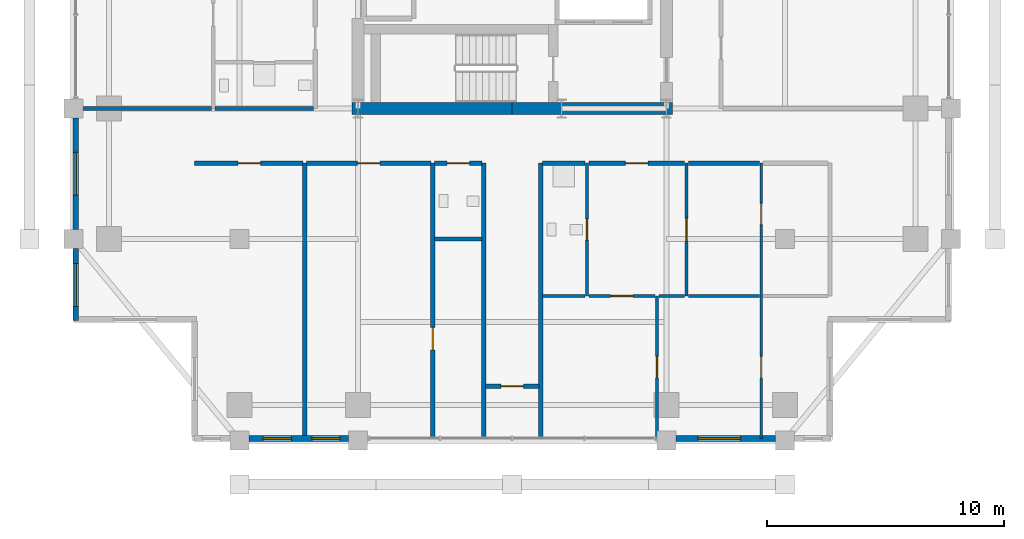
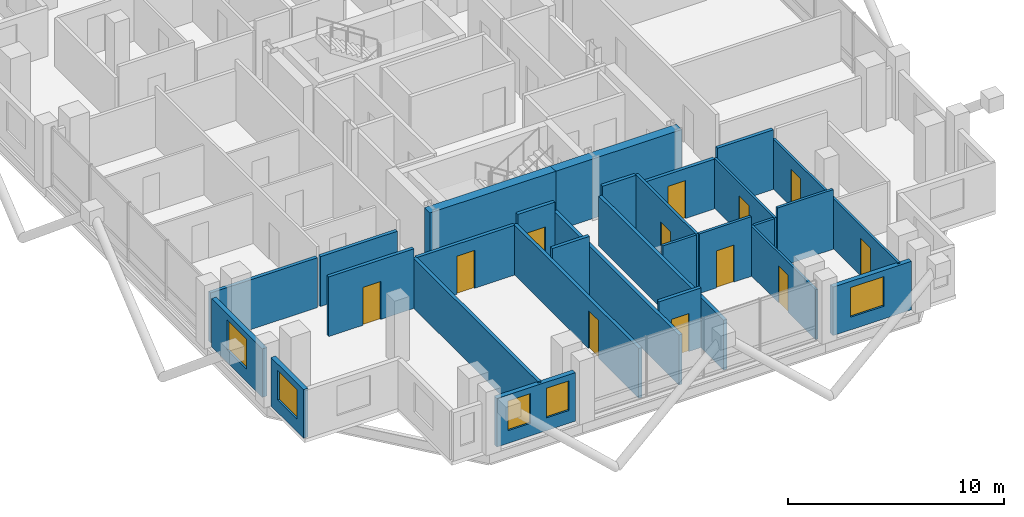
# One storey, part 18 of 24: 28 walls, 12 doors, 5 windows, 17 openings.
"""IFC4 building model written with IfcOpenShell, lengths in metres."""

from ifc_helpers import new_model, si_unit, direction, frame, frame_2d, origin, place, context, subcontext, project, spatial, rectangle, extrude, material, layer, layer_set, type_object, element, fill, save


model = new_model("IFC4")

# Units and contexts
model_context = context("Model", 3, precision=1e-05, world=origin(), true_north=direction((0.0, 1.0)))
body_context = subcontext(model_context, "Body", "Model", "MODEL_VIEW")
ifc_project = project(units=[si_unit("LENGTHUNIT", "METRE"), si_unit("AREAUNIT", "SQUARE_METRE"), si_unit("VOLUMEUNIT", "CUBIC_METRE"), si_unit("PLANEANGLEUNIT", "RADIAN"), si_unit("MASSUNIT", "GRAM", prefix="KILO")], contexts=[model_context])

# Site, building, storey
site_placement = place(None, origin())
site = spatial("IfcSite", under=ifc_project, at=site_placement, CompositionType="ELEMENT")
building_placement = place(site_placement, origin())
building = spatial("IfcBuilding", under=site, at=building_placement, Name="Barlavira Tower and Art Museum", CompositionType="ELEMENT")
storey_placement = place(building_placement, frame((0.0, 0.0, 183.60009765625)))
storey = spatial("IfcBuildingStorey", under=building, at=storey_placement, Name="L47", CompositionType="ELEMENT", Elevation=183.60009765625)

# Wall, opening, door
ifc_material_1 = material(Name="Gypsum acoustic stud partition", Category="gypsum")
ifc_layer_1 = layer(ifc_material_1, 0.1201171875, Name="Gypsum acoustic stud partition")
ifc_layer_set_1 = layer_set([ifc_layer_1], Name="Gypsum acoustic stud partition")
wall_type_1 = type_object("IfcWallType", Name="Apartment Internal Acoustic Partition 120", PredefinedType="PARTITIONING", material=ifc_layer_set_1)
wall_1_placement = place(storey_placement, frame((6.10009765625, -21.39990234375, 0.0), z_axis=(0.0, 0.0, 1.0), x_axis=(0.0, 1.0, 0.0)))
wall_1 = element("IfcWall", 1, at=wall_1_placement, inside=storey, type_object=wall_type_1, Name="L47 Partition Wall 18", PredefinedType="PARTITIONING", context=body_context, shape_type="SweptSolid", body=[
    extrude(rectangle(XDim=6.0, YDim=0.1201171875, at=frame_2d((3.0, 0.0))), origin(), (0.0, 0.0, 1.0), 2.825927734375),
])
opening_1_placement = place(wall_1_placement, frame((2.550048828125, 0.0, 0.0)))
opening_1 = element("IfcOpeningElement", 2, at=opening_1_placement, cuts=wall_1, Name="Opening D-01", PredefinedType="OPENING", context=body_context, shape_type="SweptSolid", body=[
    extrude(rectangle(XDim=0.89990234375, YDim=2.10009765625, at=frame_2d((0.449951171875, 1.050048828125))), frame((0.0, 0.070068359375, 0.0), z_axis=(0.0, -1.0, 0.0), x_axis=(1.0, 0.0, 0.0)), (0.0, 0.0, 1.0), 0.14013671875),
])
ifc_material_2 = material(Name="Engineered coastal hardwood", Category="wood")
door_type_1 = type_object("IfcDoorType", Name="Internal Bedroom Timber Flush Door 900x2100", OperationType="NOTDEFINED", PredefinedType="DOOR", material=ifc_material_2)
door_1_placement = place(opening_1_placement, origin())
door_1 = element("IfcDoor", 3, at=door_1_placement, inside=storey, type_object=door_type_1, Name="Apartment SE1 Bedroom 1 Door", OperationType="SINGLE_SWING_RIGHT", OverallHeight=2.10009765625, OverallWidth=0.89990234375, PredefinedType="DOOR", context=body_context, shape_type="SweptSolid", body=[
    extrude(rectangle(XDim=0.89990234375, YDim=2.10009765625, at=frame_2d((0.449951171875, 1.050048828125))), frame((0.0, 0.02490234375, 0.0), z_axis=(0.0, -1.0, 0.0), x_axis=(1.0, 0.0, 0.0)), (0.0, 0.0, 1.0), 0.050048828125),
])
fill(opening_1, door_1)

wall_2_placement = place(storey_placement, frame((7.35009765625, -15.39990234375, 0.0), z_axis=(0.0, 0.0, 1.0), x_axis=(0.0, 1.0, 0.0)))
wall_2 = element("IfcWall", 4, at=wall_2_placement, inside=storey, type_object=wall_type_1, Name="L47 Partition Wall 20", PredefinedType="PARTITIONING", context=body_context, shape_type="SweptSolid", body=[
    extrude(rectangle(XDim=5.599853515625, YDim=0.1201171875, at=frame_2d((2.7998046875, 0.0))), origin(), (0.0, 0.0, 1.0), 2.825927734375),
])
opening_2_placement = place(wall_2_placement, frame((2.324951171875, 0.0, 0.0)))
opening_2 = element("IfcOpeningElement", 5, at=opening_2_placement, cuts=wall_2, Name="Opening D-02", PredefinedType="OPENING", context=body_context, shape_type="SweptSolid", body=[
    extrude(rectangle(XDim=0.949951171875, YDim=2.10009765625, at=frame_2d((0.47509765625, 1.050048828125))), frame((0.0, 0.070068359375, 0.0), z_axis=(0.0, -1.0, 0.0), x_axis=(1.0, 0.0, 0.0)), (0.0, 0.0, 1.0), 0.14013671875),
])
door_type_2 = type_object("IfcDoorType", Name="Living and Salon Glazed-Leaf Door 950x2100", OperationType="NOTDEFINED", PredefinedType="DOOR", material=ifc_material_2)
door_2_placement = place(opening_2_placement, origin())
door_2 = element("IfcDoor", 6, at=door_2_placement, inside=storey, type_object=door_type_2, Name="Apartment SE1 Kitchen Door", OperationType="SINGLE_SWING_LEFT", OverallHeight=2.10009765625, OverallWidth=0.949951171875, PredefinedType="DOOR", context=body_context, shape_type="SweptSolid", body=[
    extrude(rectangle(XDim=0.949951171875, YDim=2.10009765625, at=frame_2d((0.47509765625, 1.050048828125))), frame((0.0, 0.02490234375, 0.0), z_axis=(0.0, -1.0, 0.0), x_axis=(1.0, 0.0, 0.0)), (0.0, 0.0, 1.0), 0.050048828125),
])
fill(opening_2, door_2)

# Wall, openings, doors
wall_3_placement = place(storey_placement, frame((10.5, -21.39990234375, 0.0), z_axis=(0.0, 0.0, 1.0), x_axis=(0.0, 1.0, 0.0)))
wall_3 = element("IfcWall", 7, at=wall_3_placement, inside=storey, type_object=wall_type_1, Name="L47 Partition Wall 23", PredefinedType="PARTITIONING", context=body_context, shape_type="SweptSolid", body=[
    extrude(rectangle(XDim=11.599853515625, YDim=0.1201171875, at=frame_2d((5.7998046875, 0.0))), origin(), (0.0, 0.0, 1.0), 2.825927734375),
])
opening_3_placement = place(wall_3_placement, frame((9.005859375, 0.0, 0.0)))
opening_3 = element("IfcOpeningElement", 8, at=opening_3_placement, cuts=wall_3, Name="Opening D-01", PredefinedType="OPENING", context=body_context, shape_type="SweptSolid", body=[
    extrude(rectangle(XDim=0.89990234375, YDim=2.10009765625, at=frame_2d((0.449951171875, 1.050048828125))), frame((0.0, 0.070068359375, 0.0), z_axis=(0.0, -1.0, 0.0), x_axis=(1.0, 0.0, 0.0)), (0.0, 0.0, 1.0), 0.14013671875),
])
opening_4_placement = place(wall_3_placement, frame((2.550048828125, 0.0, 0.0)))
opening_4 = element("IfcOpeningElement", 9, at=opening_4_placement, cuts=wall_3, Name="Opening D-01", PredefinedType="OPENING", context=body_context, shape_type="SweptSolid", body=[
    extrude(rectangle(XDim=0.89990234375, YDim=2.10009765625, at=frame_2d((0.449951171875, 1.050048828125))), frame((0.0, 0.070068359375, 0.0), z_axis=(0.0, -1.0, 0.0), x_axis=(1.0, 0.0, 0.0)), (0.0, 0.0, 1.0), 0.14013671875),
])
door_3_placement = place(opening_3_placement, origin())
door_3 = element("IfcDoor", 10, at=door_3_placement, inside=storey, type_object=door_type_1, Name="Apartment SE1 Walk-In Dressing Room Door", OperationType="SINGLE_SWING_RIGHT", OverallHeight=2.10009765625, OverallWidth=0.89990234375, PredefinedType="DOOR", context=body_context, shape_type="SweptSolid", body=[
    extrude(rectangle(XDim=0.89990234375, YDim=2.10009765625, at=frame_2d((0.449951171875, 1.050048828125))), frame((0.0, 0.02490234375, 0.0), z_axis=(0.0, -1.0, 0.0), x_axis=(1.0, 0.0, 0.0)), (0.0, 0.0, 1.0), 0.050048828125),
])
fill(opening_3, door_3)
door_4_placement = place(opening_4_placement, origin())
door_4 = element("IfcDoor", 11, at=door_4_placement, inside=storey, type_object=door_type_1, Name="Apartment SE1 Bedroom 2 Door", OperationType="SINGLE_SWING_LEFT", OverallHeight=2.10009765625, OverallWidth=0.89990234375, PredefinedType="DOOR", context=body_context, shape_type="SweptSolid", body=[
    extrude(rectangle(XDim=0.89990234375, YDim=2.10009765625, at=frame_2d((0.449951171875, 1.050048828125))), frame((0.0, 0.02490234375, 0.0), z_axis=(0.0, -1.0, 0.0), x_axis=(1.0, 0.0, 0.0)), (0.0, 0.0, 1.0), 0.050048828125),
])
fill(opening_4, door_4)

# Walls
ifc_material_3 = material(Name="Concrete C60", Category="concrete")
ifc_layer_2 = layer(ifc_material_3, 0.5, Name="Concrete C60")
ifc_layer_set_2 = layer_set([ifc_layer_2], Name="Concrete C60")
wall_type_2 = type_object("IfcWallType", Name="Core Structural Shear Wall 500 Concrete C60", PredefinedType="SHEAR", material=ifc_layer_set_2)
for number, where, z_axis, x_axis, name in (
    (12, (-6.75, -7.5, 0.0), (0.0, 0.0, 1.0), (1.0, 0.0, 0.0), "L47 Core Shear Wall CS-SW"),
    (13, (0.0, -7.5, 0.0), (0.0, 0.0, 1.0), (1.0, 0.0, 0.0), "L47 Core Shear Wall CS-SE"),
):
    element("IfcWall", number, at=place(storey_placement, frame(where, z_axis=z_axis, x_axis=x_axis)), inside=storey, type_object=wall_type_2, Name=name, PredefinedType="SHEAR", context=body_context, shape_type="SweptSolid", body=[
        extrude(rectangle(XDim=6.75, YDim=0.5, at=frame_2d((3.375, 0.0))), origin(), (0.0, 0.0, 1.0), 3.3798828125),
    ])
ifc_layer_3 = layer(ifc_material_1, 0.179931640625, Name="Gypsum acoustic stud partition")
ifc_layer_set_3 = layer_set([ifc_layer_3], Name="Gypsum acoustic stud partition")
wall_type_3 = type_object("IfcWallType", Name="Inter-Tenancy Party Partition Wall 180", PredefinedType="PARTITIONING", material=ifc_layer_set_3)
wall_4_placement = place(storey_placement, frame((-8.75, -21.39990234375, 0.0), z_axis=(0.0, 0.0, 1.0), x_axis=(0.0, 1.0, 0.0)))
element("IfcWall", 14, at=wall_4_placement, inside=storey, type_object=wall_type_3, Name="L47 Partition Wall 4", PredefinedType="PARTITIONING", context=body_context, shape_type="SweptSolid", body=[
    extrude(rectangle(XDim=11.599853515625, YDim=0.179931640625, at=frame_2d((5.7998046875, 0.0))), origin(), (0.0, 0.0, 1.0), 2.825927734375),
])

# Wall, opening, door
wall_5_placement = place(storey_placement, frame((-3.35009765625, -21.39990234375, 0.0), z_axis=(0.0, 0.0, 1.0), x_axis=(0.0, 1.0, 0.0)))
wall_5 = element("IfcWall", 15, at=wall_5_placement, inside=storey, type_object=wall_type_3, Name="L47 Partition Wall 10", PredefinedType="PARTITIONING", context=body_context, shape_type="SweptSolid", body=[
    extrude(rectangle(XDim=11.599853515625, YDim=0.179931640625, at=frame_2d((5.7998046875, 0.0))), origin(), (0.0, 0.0, 1.0), 2.825927734375),
])
opening_5_placement = place(wall_5_placement, frame((3.72509765625, 0.0, 0.0)))
opening_5 = element("IfcOpeningElement", 16, at=opening_5_placement, cuts=wall_5, Name="Opening FD-60", PredefinedType="OPENING", context=body_context, shape_type="SweptSolid", body=[
    extrude(rectangle(XDim=0.949951171875, YDim=2.14990234375, at=frame_2d((0.47509765625, 1.074951171875))), frame((0.0, 0.10009765625, 0.0), z_axis=(0.0, -1.0, 0.0), x_axis=(1.0, 0.0, 0.0)), (0.0, 0.0, 1.0), 0.199951171875),
])
ifc_material_4 = material(Name="Brushed stainless steel", Category="steel")
door_type_3 = type_object("IfcDoorType", Name="Apartment Entrance and Riser Fire Door 950x2150 FD60S", OperationType="NOTDEFINED", PredefinedType="DOOR", material=ifc_material_4)
door_5_placement = place(opening_5_placement, origin())
door_5 = element("IfcDoor", 17, at=door_5_placement, inside=storey, type_object=door_type_3, Name="Thermal Relaxation Lounge Door", OperationType="SINGLE_SWING_RIGHT", OverallHeight=2.14990234375, OverallWidth=0.949951171875, PredefinedType="DOOR", context=body_context, shape_type="SweptSolid", body=[
    extrude(rectangle(XDim=0.949951171875, YDim=2.14990234375, at=frame_2d((0.47509765625, 1.074951171875))), frame((0.0, 0.02490234375, 0.0), z_axis=(0.0, -1.0, 0.0), x_axis=(1.0, 0.0, 0.0)), (0.0, 0.0, 1.0), 0.050048828125),
])
fill(opening_5, door_5)

# Walls
for number, where, z_axis, x_axis, name in (
    (18, (-1.199951171875, -21.39990234375, 0.0), (0.0, 0.0, 1.0), (0.0, 1.0, 0.0), "L47 Partition Wall 11"),
    (19, (1.199951171875, -21.39990234375, 0.0), (0.0, 0.0, 1.0), (0.0, 1.0, 0.0), "L47 Partition Wall 13"),
):
    element("IfcWall", number, at=place(storey_placement, frame(where, z_axis=z_axis, x_axis=x_axis)), inside=storey, type_object=wall_type_3, Name=name, PredefinedType="PARTITIONING", context=body_context, shape_type="SweptSolid", body=[
        extrude(rectangle(XDim=11.599853515625, YDim=0.179931640625, at=frame_2d((5.7998046875, 0.0))), origin(), (0.0, 0.0, 1.0), 2.825927734375),
    ])

# Wall, opening, door
wall_6_placement = place(storey_placement, frame((-1.1201171875, -19.199951171875, 0.0), z_axis=(0.0, 0.0, 1.0), x_axis=(1.0, 0.0, 0.0)))
wall_6 = element("IfcWall", 20, at=wall_6_placement, inside=storey, type_object=wall_type_3, Name="L47 Partition Wall 27", PredefinedType="PARTITIONING", context=body_context, shape_type="SweptSolid", body=[
    extrude(rectangle(XDim=2.240234375, YDim=0.179931640625, at=frame_2d((1.1201171875, 0.0))), origin(), (0.0, 0.0, 1.0), 3.3798828125),
])
opening_6_placement = place(wall_6_placement, frame((0.64501953125, 0.0, 0.0)))
opening_6 = element("IfcOpeningElement", 21, at=opening_6_placement, cuts=wall_6, Name="Opening FD-60", PredefinedType="OPENING", context=body_context, shape_type="SweptSolid", body=[
    extrude(rectangle(XDim=0.949951171875, YDim=2.14990234375, at=frame_2d((0.47509765625, 1.074951171875))), frame((0.0, 0.10009765625, 0.0), z_axis=(0.0, -1.0, 0.0), x_axis=(1.0, 0.0, 0.0)), (0.0, 0.0, 1.0), 0.199951171875),
])
door_6_placement = place(opening_6_placement, origin())
door_6 = element("IfcDoor", 22, at=door_6_placement, inside=storey, type_object=door_type_3, Name="L47 South Horizon Reading Alcove Door", OperationType="SINGLE_SWING_RIGHT", OverallHeight=2.14990234375, OverallWidth=0.949951171875, PredefinedType="DOOR", context=body_context, shape_type="SweptSolid", body=[
    extrude(rectangle(XDim=0.949951171875, YDim=2.14990234375, at=frame_2d((0.47509765625, 1.074951171875))), frame((0.0, 0.02490234375, 0.0), z_axis=(0.0, -1.0, 0.0), x_axis=(1.0, 0.0, 0.0)), (0.0, 0.0, 1.0), 0.050048828125),
])
fill(opening_6, door_6)

# Wall
wall_7_placement = place(storey_placement, frame((-3.27001953125, -13.0, 0.0), z_axis=(0.0, 0.0, 1.0), x_axis=(1.0, 0.0, 0.0)))
element("IfcWall", 23, at=wall_7_placement, inside=storey, type_object=wall_type_3, Name="L47 Partition Wall 33", PredefinedType="PARTITIONING", context=body_context, shape_type="SweptSolid", body=[
    extrude(rectangle(XDim=1.989990234375, YDim=0.179931640625, at=frame_2d((0.9951171875, 0.0))), origin(), (0.0, 0.0, 1.0), 3.3798828125),
])

# Wall, opening, door
wall_8_placement = place(storey_placement, frame((-13.39990234375, -9.800048828125, 0.0), z_axis=(0.0, 0.0, 1.0), x_axis=(1.0, 0.0, 0.0)))
wall_8 = element("IfcWall", 24, at=wall_8_placement, inside=storey, type_object=wall_type_3, Name="L47 Partition Wall 34", PredefinedType="PARTITIONING", context=body_context, shape_type="SweptSolid", body=[
    extrude(rectangle(XDim=4.56982421875, YDim=0.179931640625, at=frame_2d((2.284912109375, 0.0))), origin(), (0.0, 0.0, 1.0), 3.3798828125),
])
opening_7_placement = place(wall_8_placement, frame((1.844970703125, 0.0, 0.0)))
opening_7 = element("IfcOpeningElement", 25, at=opening_7_placement, cuts=wall_8, Name="Opening FD-60", PredefinedType="OPENING", context=body_context, shape_type="SweptSolid", body=[
    extrude(rectangle(XDim=0.949951171875, YDim=2.14990234375, at=frame_2d((0.47509765625, 1.074951171875))), frame((0.0, 0.10009765625, 0.0), z_axis=(0.0, -1.0, 0.0), x_axis=(1.0, 0.0, 0.0)), (0.0, 0.0, 1.0), 0.199951171875),
])
door_7_placement = place(opening_7_placement, origin())
door_7 = element("IfcDoor", 26, at=door_7_placement, inside=storey, type_object=door_type_3, Name="Resident Ocean-View Fitness Studio Door", OperationType="SINGLE_SWING_LEFT", OverallHeight=2.14990234375, OverallWidth=0.949951171875, PredefinedType="DOOR", context=body_context, shape_type="SweptSolid", body=[
    extrude(rectangle(XDim=0.949951171875, YDim=2.14990234375, at=frame_2d((0.47509765625, 1.074951171875))), frame((0.0, 0.02490234375, 0.0), z_axis=(0.0, -1.0, 0.0), x_axis=(1.0, 0.0, 0.0)), (0.0, 0.0, 1.0), 0.050048828125),
])
fill(opening_7, door_7)

wall_9_placement = place(storey_placement, frame((-8.669921875, -9.800048828125, 0.0), z_axis=(0.0, 0.0, 1.0), x_axis=(1.0, 0.0, 0.0)))
wall_9 = element("IfcWall", 27, at=wall_9_placement, inside=storey, type_object=wall_type_3, Name="L47 Partition Wall 35", PredefinedType="PARTITIONING", context=body_context, shape_type="SweptSolid", body=[
    extrude(rectangle(XDim=5.239990234375, YDim=0.179931640625, at=frame_2d((2.6201171875, 0.0))), origin(), (0.0, 0.0, 1.0), 2.825927734375),
])
opening_8_placement = place(wall_9_placement, frame((2.14501953125, 0.0, 0.0)))
opening_8 = element("IfcOpeningElement", 28, at=opening_8_placement, cuts=wall_9, Name="Opening FD-60", PredefinedType="OPENING", context=body_context, shape_type="SweptSolid", body=[
    extrude(rectangle(XDim=0.949951171875, YDim=2.14990234375, at=frame_2d((0.47509765625, 1.074951171875))), frame((0.0, 0.10009765625, 0.0), z_axis=(0.0, -1.0, 0.0), x_axis=(1.0, 0.0, 0.0)), (0.0, 0.0, 1.0), 0.199951171875),
])
door_8_placement = place(opening_8_placement, origin())
door_8 = element("IfcDoor", 29, at=door_8_placement, inside=storey, type_object=door_type_3, Name="Coastal Hydrotherapy and Yoga Lounge Door", OperationType="SINGLE_SWING_RIGHT", OverallHeight=2.14990234375, OverallWidth=0.949951171875, PredefinedType="DOOR", context=body_context, shape_type="SweptSolid", body=[
    extrude(rectangle(XDim=0.949951171875, YDim=2.14990234375, at=frame_2d((0.47509765625, 1.074951171875))), frame((0.0, 0.02490234375, 0.0), z_axis=(0.0, -1.0, 0.0), x_axis=(1.0, 0.0, 0.0)), (0.0, 0.0, 1.0), 0.050048828125),
])
fill(opening_8, door_8)

wall_10_placement = place(storey_placement, frame((-3.27001953125, -9.800048828125, 0.0), z_axis=(0.0, 0.0, 1.0), x_axis=(1.0, 0.0, 0.0)))
wall_10 = element("IfcWall", 30, at=wall_10_placement, inside=storey, type_object=wall_type_3, Name="L47 Partition Wall 36", PredefinedType="PARTITIONING", context=body_context, shape_type="SweptSolid", body=[
    extrude(rectangle(XDim=1.989990234375, YDim=0.179931640625, at=frame_2d((0.9951171875, 0.0))), origin(), (0.0, 0.0, 1.0), 3.3798828125),
])
opening_9_placement = place(wall_10_placement, frame((0.52490234375, 0.0, 0.0)))
opening_9 = element("IfcOpeningElement", 31, at=opening_9_placement, cuts=wall_10, Name="Opening FD-60", PredefinedType="OPENING", context=body_context, shape_type="SweptSolid", body=[
    extrude(rectangle(XDim=0.949951171875, YDim=2.14990234375, at=frame_2d((0.47509765625, 1.074951171875))), frame((0.0, 0.10009765625, 0.0), z_axis=(0.0, -1.0, 0.0), x_axis=(1.0, 0.0, 0.0)), (0.0, 0.0, 1.0), 0.199951171875),
])
door_9_placement = place(opening_9_placement, origin())
door_9 = element("IfcDoor", 32, at=door_9_placement, inside=storey, type_object=door_type_3, Name="Wellness Changing and Accessible Shower WC Door", OperationType="SINGLE_SWING_LEFT", OverallHeight=2.14990234375, OverallWidth=0.949951171875, PredefinedType="DOOR", context=body_context, shape_type="SweptSolid", body=[
    extrude(rectangle(XDim=0.949951171875, YDim=2.14990234375, at=frame_2d((0.47509765625, 1.074951171875))), frame((0.0, 0.02490234375, 0.0), z_axis=(0.0, -1.0, 0.0), x_axis=(1.0, 0.0, 0.0)), (0.0, 0.0, 1.0), 0.050048828125),
])
fill(opening_9, door_9)

# Wall
wall_11_placement = place(storey_placement, frame((1.280029296875, -9.800048828125, 0.0), z_axis=(0.0, 0.0, 1.0), x_axis=(1.0, 0.0, 0.0)))
element("IfcWall", 33, at=wall_11_placement, inside=storey, type_object=wall_type_3, Name="L47 Partition Wall 37", PredefinedType="PARTITIONING", context=body_context, shape_type="SweptSolid", body=[
    extrude(rectangle(XDim=1.7900390625, YDim=0.179931640625, at=frame_2d((0.89501953125, 0.0))), origin(), (0.0, 0.0, 1.0), 3.3798828125),
])

# Wall, opening, door
wall_12_placement = place(storey_placement, frame((3.22998046875, -9.800048828125, 0.0), z_axis=(0.0, 0.0, 1.0), x_axis=(1.0, 0.0, 0.0)))
wall_12 = element("IfcWall", 34, at=wall_12_placement, inside=storey, type_object=wall_type_3, Name="L47 Partition Wall 38", PredefinedType="PARTITIONING", context=body_context, shape_type="SweptSolid", body=[
    extrude(rectangle(XDim=4.0400390625, YDim=0.179931640625, at=frame_2d((2.02001953125, 0.0))), origin(), (0.0, 0.0, 1.0), 2.825927734375),
])
opening_10_placement = place(wall_12_placement, frame((1.544921875, 0.0, 0.0)))
opening_10 = element("IfcOpeningElement", 35, at=opening_10_placement, cuts=wall_12, Name="Opening FD-60", PredefinedType="OPENING", context=body_context, shape_type="SweptSolid", body=[
    extrude(rectangle(XDim=0.949951171875, YDim=2.14990234375, at=frame_2d((0.47509765625, 1.074951171875))), frame((0.0, 0.10009765625, 0.0), z_axis=(0.0, -1.0, 0.0), x_axis=(1.0, 0.0, 0.0)), (0.0, 0.0, 1.0), 0.199951171875),
])
door_10_placement = place(opening_10_placement, origin())
door_10 = element("IfcDoor", 36, at=door_10_placement, inside=storey, type_object=door_type_3, Name="Apartment Entrance Hall SE1 Door", OperationType="SINGLE_SWING_RIGHT", OverallHeight=2.14990234375, OverallWidth=0.949951171875, PredefinedType="DOOR", context=body_context, shape_type="SweptSolid", body=[
    extrude(rectangle(XDim=0.949951171875, YDim=2.14990234375, at=frame_2d((0.47509765625, 1.074951171875))), frame((0.0, 0.02490234375, 0.0), z_axis=(0.0, -1.0, 0.0), x_axis=(1.0, 0.0, 0.0)), (0.0, 0.0, 1.0), 0.050048828125),
])
fill(opening_10, door_10)

# Walls
wall_13_placement = place(storey_placement, frame((7.429931640625, -9.800048828125, 0.0), z_axis=(0.0, 0.0, 1.0), x_axis=(1.0, 0.0, 0.0)))
element("IfcWall", 37, at=wall_13_placement, inside=storey, type_object=wall_type_3, Name="L47 Partition Wall 39", PredefinedType="PARTITIONING", context=body_context, shape_type="SweptSolid", body=[
    extrude(rectangle(XDim=2.989990234375, YDim=0.179931640625, at=frame_2d((1.4951171875, 0.0))), origin(), (0.0, 0.0, 1.0), 3.3798828125),
])
wall_14_placement = place(storey_placement, frame((-18.39990234375, -7.5, 0.0), z_axis=(0.0, 0.0, 1.0), x_axis=(1.0, 0.0, 0.0)))
element("IfcWall", 38, at=wall_14_placement, inside=storey, type_object=wall_type_3, Name="L47 Partition Wall 41", PredefinedType="PARTITIONING", context=body_context, shape_type="SweptSolid", body=[
    extrude(rectangle(XDim=5.719970703125, YDim=0.179931640625, at=frame_2d((2.85986328125, 0.0))), origin(), (0.0, 0.0, 1.0), 2.825927734375),
])
wall_15_placement = place(storey_placement, frame((-12.52001953125, -7.5, 0.0), z_axis=(0.0, 0.0, 1.0), x_axis=(1.0, 0.0, 0.0)))
element("IfcWall", 39, at=wall_15_placement, inside=storey, type_object=wall_type_3, Name="L47 Partition Wall 42", PredefinedType="PARTITIONING", context=body_context, shape_type="SweptSolid", body=[
    extrude(rectangle(XDim=4.14013671875, YDim=0.179931640625, at=frame_2d((2.070068359375, 0.0))), origin(), (0.0, 0.0, 1.0), 2.825927734375),
])

# Wall, opening, door
ifc_layer_4 = layer(ifc_material_1, 0.139892578125, Name="Gypsum acoustic stud partition")
ifc_layer_set_4 = layer_set([ifc_layer_4], Name="Gypsum acoustic stud partition")
wall_type_4 = type_object("IfcWallType", Name="Moisture-Resistant Bathroom Partition 140", PredefinedType="PARTITIONING", material=ifc_layer_set_4)
wall_16_placement = place(storey_placement, frame((3.14990234375, -15.39990234375, 0.0), z_axis=(0.0, 0.0, 1.0), x_axis=(0.0, 1.0, 0.0)))
wall_16 = element("IfcWall", 40, at=wall_16_placement, inside=storey, type_object=wall_type_4, Name="L47 Partition Wall 15", PredefinedType="PARTITIONING", context=body_context, shape_type="SweptSolid", body=[
    extrude(rectangle(XDim=5.599853515625, YDim=0.139892578125, at=frame_2d((2.7998046875, 0.0))), origin(), (0.0, 0.0, 1.0), 3.3798828125),
])
opening_11_placement = place(wall_16_placement, frame((2.35009765625, 0.0, 0.0)))
opening_11 = element("IfcOpeningElement", 41, at=opening_11_placement, cuts=wall_16, Name="Opening D-WC", PredefinedType="OPENING", context=body_context, shape_type="SweptSolid", body=[
    extrude(rectangle(XDim=0.89990234375, YDim=2.10009765625, at=frame_2d((0.449951171875, 1.050048828125))), frame((0.0, 0.080078125, 0.0), z_axis=(0.0, -1.0, 0.0), x_axis=(1.0, 0.0, 0.0)), (0.0, 0.0, 1.0), 0.159912109375),
])
door_type_4 = type_object("IfcDoorType", Name="Accessible Bathroom Flush Door 900x2100", OperationType="NOTDEFINED", PredefinedType="DOOR", material=ifc_material_2)
door_11_placement = place(opening_11_placement, origin())
door_11 = element("IfcDoor", 42, at=door_11_placement, inside=storey, type_object=door_type_4, Name="Apartment SE1 Hall Bathroom Door", OperationType="SINGLE_SWING_LEFT", OverallHeight=2.10009765625, OverallWidth=0.89990234375, PredefinedType="DOOR", context=body_context, shape_type="SweptSolid", body=[
    extrude(rectangle(XDim=0.89990234375, YDim=2.10009765625, at=frame_2d((0.449951171875, 1.050048828125))), frame((0.0, 0.02490234375, 0.0), z_axis=(0.0, -1.0, 0.0), x_axis=(1.0, 0.0, 0.0)), (0.0, 0.0, 1.0), 0.050048828125),
])
fill(opening_11, door_11)

# Wall
wall_17_placement = place(storey_placement, frame((1.280029296875, -15.39990234375, 0.0), z_axis=(0.0, 0.0, 1.0), x_axis=(1.0, 0.0, 0.0)))
element("IfcWall", 43, at=wall_17_placement, inside=storey, type_object=wall_type_4, Name="L47 Partition Wall 28", PredefinedType="PARTITIONING", context=body_context, shape_type="SweptSolid", body=[
    extrude(rectangle(XDim=1.7900390625, YDim=0.139892578125, at=frame_2d((0.89501953125, 0.0))), origin(), (0.0, 0.0, 1.0), 3.3798828125),
])

# Wall, opening, door
wall_18_placement = place(storey_placement, frame((3.22998046875, -15.39990234375, 0.0), z_axis=(0.0, 0.0, 1.0), x_axis=(1.0, 0.0, 0.0)))
wall_18 = element("IfcWall", 44, at=wall_18_placement, inside=storey, type_object=wall_type_4, Name="L47 Partition Wall 29", PredefinedType="PARTITIONING", context=body_context, shape_type="SweptSolid", body=[
    extrude(rectangle(XDim=2.7900390625, YDim=0.139892578125, at=frame_2d((1.39501953125, 0.0))), origin(), (0.0, 0.0, 1.0), 3.3798828125),
])
opening_12_placement = place(wall_18_placement, frame((0.9150390625, 0.0, 0.0)))
opening_12 = element("IfcOpeningElement", 45, at=opening_12_placement, cuts=wall_18, Name="Opening D-02", PredefinedType="OPENING", context=body_context, shape_type="SweptSolid", body=[
    extrude(rectangle(XDim=0.949951171875, YDim=2.10009765625, at=frame_2d((0.47509765625, 1.050048828125))), frame((0.0, 0.080078125, 0.0), z_axis=(0.0, -1.0, 0.0), x_axis=(1.0, 0.0, 0.0)), (0.0, 0.0, 1.0), 0.159912109375),
])
door_12_placement = place(opening_12_placement, origin())
door_12 = element("IfcDoor", 46, at=door_12_placement, inside=storey, type_object=door_type_2, Name="Apartment SE1 Living Lounge Door", OperationType="SINGLE_SWING_LEFT", OverallHeight=2.10009765625, OverallWidth=0.949951171875, PredefinedType="DOOR", context=body_context, shape_type="SweptSolid", body=[
    extrude(rectangle(XDim=0.949951171875, YDim=2.10009765625, at=frame_2d((0.47509765625, 1.050048828125))), frame((0.0, 0.02490234375, 0.0), z_axis=(0.0, -1.0, 0.0), x_axis=(1.0, 0.0, 0.0)), (0.0, 0.0, 1.0), 0.050048828125),
])
fill(opening_12, door_12)

# Walls
wall_19_placement = place(storey_placement, frame((6.179931640625, -15.39990234375, 0.0), z_axis=(0.0, 0.0, 1.0), x_axis=(1.0, 0.0, 0.0)))
element("IfcWall", 47, at=wall_19_placement, inside=storey, type_object=wall_type_4, Name="L47 Partition Wall 30", PredefinedType="PARTITIONING", context=body_context, shape_type="SweptSolid", body=[
    extrude(rectangle(XDim=1.090087890625, YDim=0.139892578125, at=frame_2d((0.544921875, 0.0))), origin(), (0.0, 0.0, 1.0), 2.825927734375),
])
wall_20_placement = place(storey_placement, frame((7.429931640625, -15.39990234375, 0.0), z_axis=(0.0, 0.0, 1.0), x_axis=(1.0, 0.0, 0.0)))
element("IfcWall", 48, at=wall_20_placement, inside=storey, type_object=wall_type_4, Name="L47 Partition Wall 31", PredefinedType="PARTITIONING", context=body_context, shape_type="SweptSolid", body=[
    extrude(rectangle(XDim=2.989990234375, YDim=0.139892578125, at=frame_2d((1.4951171875, 0.0))), origin(), (0.0, 0.0, 1.0), 3.3798828125),
])

# Wall, openings, windows
ifc_material_5 = material(Name="Precast concrete C40", Category="concrete")
ifc_layer_5 = layer(ifc_material_5, 0.25, Name="Precast concrete C40")
ifc_layer_set_5 = layer_set([ifc_layer_5], Name="Precast concrete C40")
wall_type_5 = type_object("IfcWallType", Name="Notched Corner Spandrel Wall 250 Precast Concrete C40", PredefinedType="SOLIDWALL", material=ifc_layer_set_5)
wall_21_placement = place(storey_placement, frame((-11.10498046875, -21.39990234375, 0.0), z_axis=(0.0, 0.0, 1.0), x_axis=(1.0, 0.0, 0.0)))
wall_21 = element("IfcWall", 49, at=wall_21_placement, inside=storey, type_object=wall_type_5, Name="L47 Coastal Facade Pier Wall CW3-L47-S-2", PredefinedType="SOLIDWALL", context=body_context, shape_type="SweptSolid", body=[
    extrude(rectangle(XDim=4.2099609375, YDim=0.25, at=frame_2d((2.10498046875, 0.0))), origin(), (0.0, 0.0, 1.0), 2.747802734375),
])
opening_13_placement = place(wall_21_placement, frame((0.594970703125, 0.0, 0.719970703125)))
opening_13 = element("IfcOpeningElement", 50, at=opening_13_placement, cuts=wall_21, Name="Opening WN-05", PredefinedType="OPENING", context=body_context, shape_type="SweptSolid", body=[
    extrude(rectangle(XDim=1.199951171875, YDim=1.679931640625, at=frame_2d((0.60009765625, 0.83984375))), frame((0.0, 0.135009765625, 0.0), z_axis=(0.0, -1.0, 0.0), x_axis=(1.0, 0.0, 0.0)), (0.0, 0.0, 1.0), 0.27001953125),
])
opening_14_placement = place(wall_21_placement, frame((2.655029296875, 0.0, 0.719970703125)))
opening_14 = element("IfcOpeningElement", 51, at=opening_14_placement, cuts=wall_21, Name="Opening WN-05", PredefinedType="OPENING", context=body_context, shape_type="SweptSolid", body=[
    extrude(rectangle(XDim=1.199951171875, YDim=1.679931640625, at=frame_2d((0.60009765625, 0.83984375))), frame((0.0, 0.135009765625, 0.0), z_axis=(0.0, -1.0, 0.0), x_axis=(1.0, 0.0, 0.0)), (0.0, 0.0, 1.0), 0.27001953125),
])
ifc_material_6 = material(Name="Low-iron coastal laminated glass", Category="glass")
window_type_1 = type_object("IfcWindowType", Name="Recessed Flank Pier Punch Window 1200x1680", PartitioningType="SINGLE_PANEL", PredefinedType="WINDOW", material=ifc_material_6)
window_1_placement = place(opening_13_placement, origin())
window_1 = element("IfcWindow", 52, at=window_1_placement, inside=storey, type_object=window_type_1, Name="L47 Punched Facade Window EWP-CW3-L47-S-2-1", OverallHeight=1.679931640625, OverallWidth=1.199951171875, PartitioningType="SINGLE_PANEL", PredefinedType="WINDOW", context=body_context, shape_type="SweptSolid", body=[
    extrude(rectangle(XDim=1.199951171875, YDim=1.679931640625, at=frame_2d((0.60009765625, 0.83984375))), frame((0.0, 0.030029296875, 0.0), z_axis=(0.0, -1.0, 0.0), x_axis=(1.0, 0.0, 0.0)), (0.0, 0.0, 1.0), 0.06005859375),
])
fill(opening_13, window_1)
window_2_placement = place(opening_14_placement, origin())
window_2 = element("IfcWindow", 53, at=window_2_placement, inside=storey, type_object=window_type_1, Name="L47 Punched Facade Window EWP-CW3-L47-S-2-2", OverallHeight=1.679931640625, OverallWidth=1.199951171875, PartitioningType="SINGLE_PANEL", PredefinedType="WINDOW", context=body_context, shape_type="SweptSolid", body=[
    extrude(rectangle(XDim=1.199951171875, YDim=1.679931640625, at=frame_2d((0.60009765625, 0.83984375))), frame((0.0, 0.030029296875, 0.0), z_axis=(0.0, -1.0, 0.0), x_axis=(1.0, 0.0, 0.0)), (0.0, 0.0, 1.0), 0.06005859375),
])
fill(opening_14, window_2)

# Wall, opening, window
wall_22_placement = place(storey_placement, frame((6.89501953125, -21.39990234375, 0.0), z_axis=(0.0, 0.0, 1.0), x_axis=(1.0, 0.0, 0.0)))
wall_22 = element("IfcWall", 54, at=wall_22_placement, inside=storey, type_object=wall_type_5, Name="L47 Coastal Facade Pier Wall CW3-L47-S-4", PredefinedType="SOLIDWALL", context=body_context, shape_type="SweptSolid", body=[
    extrude(rectangle(XDim=4.2099609375, YDim=0.25, at=frame_2d((2.10498046875, 0.0))), origin(), (0.0, 0.0, 1.0), 2.747802734375),
])
opening_15_placement = place(wall_22_placement, frame((0.93505859375, 0.0, 0.719970703125)))
opening_15 = element("IfcOpeningElement", 55, at=opening_15_placement, cuts=wall_22, Name="Opening WN-01", PredefinedType="OPENING", context=body_context, shape_type="SweptSolid", body=[
    extrude(rectangle(XDim=1.800048828125, YDim=1.679931640625, at=frame_2d((0.89990234375, 0.83984375))), frame((0.0, 0.135009765625, 0.0), z_axis=(0.0, -1.0, 0.0), x_axis=(1.0, 0.0, 0.0)), (0.0, 0.0, 1.0), 0.27001953125),
])
window_type_2 = type_object("IfcWindowType", Name="Recessed Notch Corner Punch Window 1800x1680", PartitioningType="SINGLE_PANEL", PredefinedType="WINDOW", material=ifc_material_6)
window_3_placement = place(opening_15_placement, origin())
window_3 = element("IfcWindow", 56, at=window_3_placement, inside=storey, type_object=window_type_2, Name="L47 Punched Facade Window EWP-CW3-L47-S-4-1", OverallHeight=1.679931640625, OverallWidth=1.800048828125, PartitioningType="SINGLE_PANEL", PredefinedType="WINDOW", context=body_context, shape_type="SweptSolid", body=[
    extrude(rectangle(XDim=1.800048828125, YDim=1.679931640625, at=frame_2d((0.89990234375, 0.83984375))), frame((0.0, 0.030029296875, 0.0), z_axis=(0.0, -1.0, 0.0), x_axis=(1.0, 0.0, 0.0)), (0.0, 0.0, 1.0), 0.06005859375),
])
fill(opening_15, window_3)

wall_23_placement = place(storey_placement, frame((-18.39990234375, -7.89501953125, 0.0), z_axis=(0.0, 0.0, 1.0), x_axis=(0.0, -1.0, 0.0)))
wall_23 = element("IfcWall", 57, at=wall_23_placement, inside=storey, type_object=wall_type_5, Name="L47 Coastal Facade Pier Wall CW3-L47-W-4", PredefinedType="SOLIDWALL", context=body_context, shape_type="SweptSolid", body=[
    extrude(rectangle(XDim=4.7099609375, YDim=0.25, at=frame_2d((2.35498046875, 0.0))), origin(), (0.0, 0.0, 1.0), 2.747802734375),
])
opening_16_placement = place(wall_23_placement, frame((1.455078125, 0.0, 0.719970703125)))
opening_16 = element("IfcOpeningElement", 58, at=opening_16_placement, cuts=wall_23, Name="Opening WN-01", PredefinedType="OPENING", context=body_context, shape_type="SweptSolid", body=[
    extrude(rectangle(XDim=1.800048828125, YDim=1.679931640625, at=frame_2d((0.89990234375, 0.83984375))), frame((0.0, 0.135009765625, 0.0), z_axis=(0.0, -1.0, 0.0), x_axis=(1.0, 0.0, 0.0)), (0.0, 0.0, 1.0), 0.27001953125),
])
window_4_placement = place(opening_16_placement, origin())
window_4 = element("IfcWindow", 59, at=window_4_placement, inside=storey, type_object=window_type_2, Name="L47 Punched Facade Window EWP-CW3-L47-W-4-1", OverallHeight=1.679931640625, OverallWidth=1.800048828125, PartitioningType="SINGLE_PANEL", PredefinedType="WINDOW", context=body_context, shape_type="SweptSolid", body=[
    extrude(rectangle(XDim=1.800048828125, YDim=1.679931640625, at=frame_2d((0.89990234375, 0.83984375))), frame((0.0, 0.030029296875, 0.0), z_axis=(0.0, -1.0, 0.0), x_axis=(1.0, 0.0, 0.0)), (0.0, 0.0, 1.0), 0.06005859375),
])
fill(opening_16, window_4)

wall_24_placement = place(storey_placement, frame((-18.39990234375, -13.39501953125, 0.0), z_axis=(0.0, 0.0, 1.0), x_axis=(0.0, -1.0, 0.0)))
wall_24 = element("IfcWall", 60, at=wall_24_placement, inside=storey, type_object=wall_type_5, Name="L47 Coastal Facade Pier Wall CW3-L47-W-5", PredefinedType="SOLIDWALL", context=body_context, shape_type="SweptSolid", body=[
    extrude(rectangle(XDim=3.030029296875, YDim=0.25, at=frame_2d((1.51513671875, 0.0))), origin(), (0.0, 0.0, 1.0), 2.747802734375),
])
opening_17_placement = place(wall_24_placement, frame((0.637939453125, 0.0, 0.719970703125)))
opening_17 = element("IfcOpeningElement", 61, at=opening_17_placement, cuts=wall_24, Name="Opening WN-01", PredefinedType="OPENING", context=body_context, shape_type="SweptSolid", body=[
    extrude(rectangle(XDim=1.800048828125, YDim=1.679931640625, at=frame_2d((0.89990234375, 0.83984375))), frame((0.0, 0.135009765625, 0.0), z_axis=(0.0, -1.0, 0.0), x_axis=(1.0, 0.0, 0.0)), (0.0, 0.0, 1.0), 0.27001953125),
])
window_5_placement = place(opening_17_placement, origin())
window_5 = element("IfcWindow", 62, at=window_5_placement, inside=storey, type_object=window_type_2, Name="L47 Punched Facade Window EWP-CW3-L47-W-5-1", OverallHeight=1.679931640625, OverallWidth=1.800048828125, PartitioningType="SINGLE_PANEL", PredefinedType="WINDOW", context=body_context, shape_type="SweptSolid", body=[
    extrude(rectangle(XDim=1.800048828125, YDim=1.679931640625, at=frame_2d((0.89990234375, 0.83984375))), frame((0.0, 0.030029296875, 0.0), z_axis=(0.0, -1.0, 0.0), x_axis=(1.0, 0.0, 0.0)), (0.0, 0.0, 1.0), 0.06005859375),
])
fill(opening_17, window_5)

save(model, "model.ifc")
